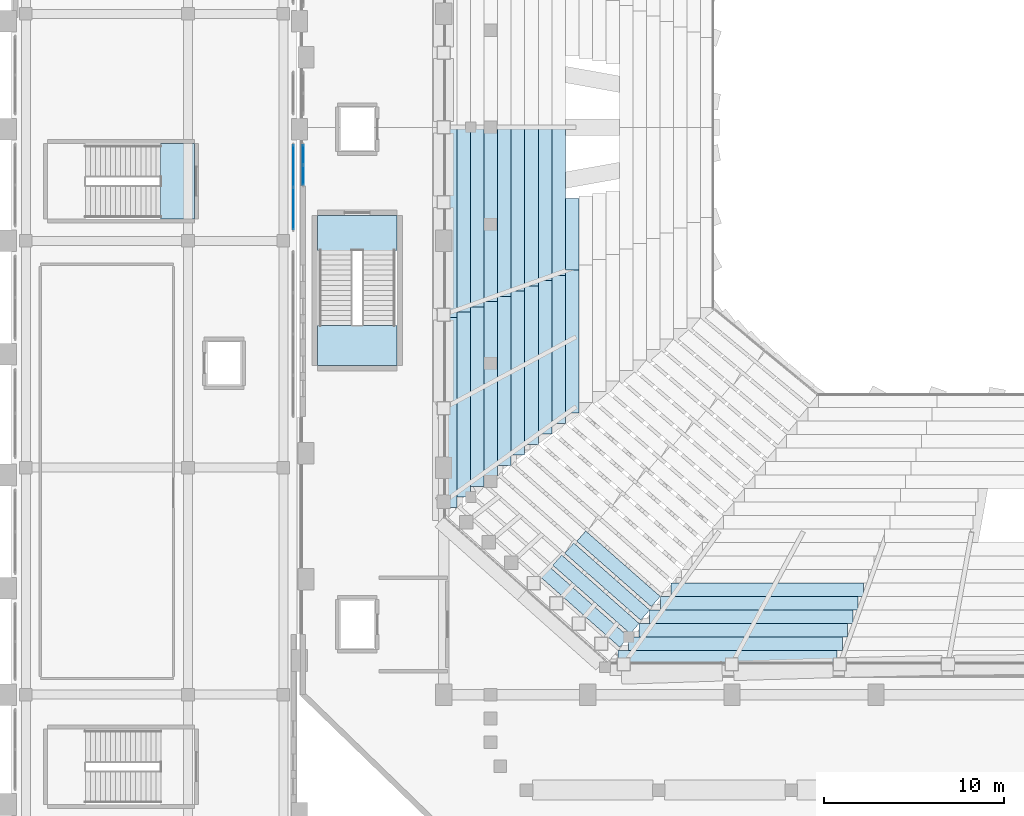
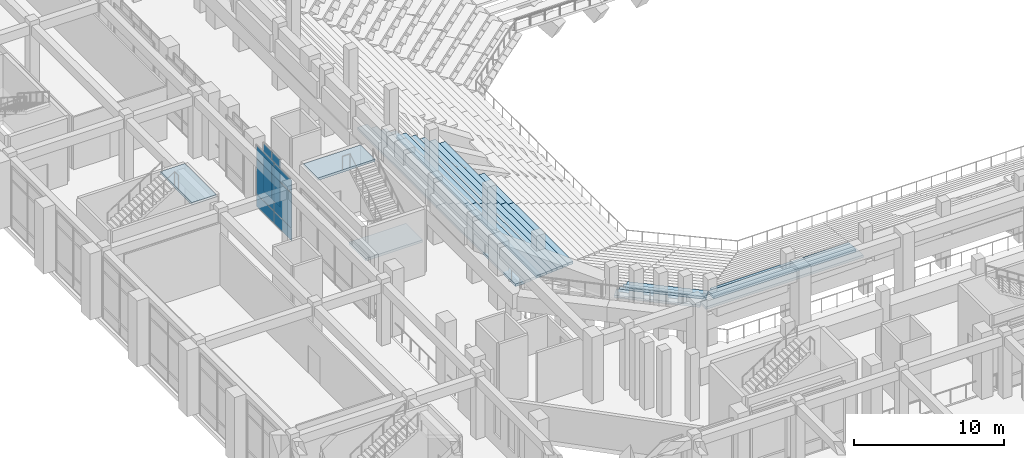
# One storey, part 88 of 159: 33 slabs, 12 plates, 4 elements without a shape of their own.
"""IFC4 building model written with IfcOpenShell, lengths in metres."""

from ifc_helpers import new_model, si_unit, derived_unit, direction, frame, origin, origin_2d, place, context, subcontext, project, spatial, polyline, rectangle, outline, extrude, material, layer, layer_set, type_object, element, aggregate, save


model = new_model("IFC4")

# Units and contexts
model_context = context("Model", 3, precision=1e-05, world=origin(), true_north=direction((0.0, 1.0)))
body_context = subcontext(model_context, "Body", "Model", "MODEL_VIEW")
ifc_project = project(units=[si_unit("LENGTHUNIT", "METRE"), si_unit("AREAUNIT", "SQUARE_METRE"), si_unit("VOLUMEUNIT", "CUBIC_METRE"), si_unit("PLANEANGLEUNIT", "RADIAN"), si_unit("MASSUNIT", "GRAM", prefix="KILO"), derived_unit("THERMALTRANSMITTANCEUNIT", [(si_unit("MASSUNIT", "GRAM", prefix="KILO"), 1), (si_unit("TIMEUNIT", "SECOND"), -3), (si_unit("THERMODYNAMICTEMPERATUREUNIT", "KELVIN"), -1)])], contexts=[model_context])

# Site, building, storey
site_placement = place(None, origin())
site = spatial("IfcSite", under=ifc_project, at=site_placement, CompositionType="ELEMENT")
building_placement = place(site_placement, origin())
building = spatial("IfcBuilding", under=site, at=building_placement, Name="Valcora Ridge Arena", CompositionType="ELEMENT")
storey_placement = place(building_placement, frame((0.0, 0.0, 6.0)))
storey = spatial("IfcBuildingStorey", under=building, at=storey_placement, Name="L01", CompositionType="ELEMENT", Elevation=6.0)

# Stair, slab
ifc_material_1 = material(Name="Concrete C40/50", Category="concrete")
stair_type_1 = type_object("IfcStairType", Name="TY-STAIR-ES08-54", PredefinedType="HALF_TURN_STAIR", material=ifc_material_1)
stair_1_placement = place(storey_placement, origin())
stair_1 = element("IfcStair", 1, at=stair_1_placement, inside=storey, type_object=stair_type_1, Name="ES08-54 STR-ES-0028", PredefinedType="HALF_TURN_STAIR")
ifc_layer_1 = layer(ifc_material_1, 0.199951171875, Name="Concrete C40/50")
ifc_layer_set_1 = layer_set([ifc_layer_1], Name="Concrete C40/50")
slab_type_1 = type_object("IfcSlabType", Name="TY-LAND-ES08-54", PredefinedType="LANDING", material=ifc_layer_set_1)
slab_1_placement = place(storey_placement, frame((0.0, 0.0, 5.199951171875)))
slab_1 = element("IfcSlab", 2, at=slab_1_placement, type_object=slab_type_1, Name="ES08-54 landing 2", PredefinedType="LANDING", context=body_context, shape_type="SweptSolid", body=[
    extrude(outline(polyline([(8.280029296875, 59.001953125), (10.157958984375, 59.001953125), (10.157958984375, 63.197998046875), (8.280029296875, 63.197998046875), (8.280029296875, 59.001953125)])), origin(), (0.0, 0.0, 1.0), 0.199951171875),
])
aggregate(stair_1, [slab_1])

# Stair, slabs
stair_type_2 = type_object("IfcStairType", Name="TY-STAIR-ST05-54", PredefinedType="HALF_TURN_STAIR", material=ifc_material_1)
stair_2_placement = place(storey_placement, origin())
stair_2 = element("IfcStair", 3, at=stair_2_placement, inside=storey, type_object=stair_type_2, Name="ST05-54 STR-CR-0025", PredefinedType="HALF_TURN_STAIR")
ifc_layer_2 = layer(ifc_material_1, 0.199951171875, Name="Concrete C40/50")
ifc_layer_set_2 = layer_set([ifc_layer_2], Name="Concrete C40/50")
slab_type_2 = type_object("IfcSlabType", Name="TY-LAND-ST05-54", PredefinedType="LANDING", material=ifc_layer_set_2)
slab_2_placement = place(storey_placement, frame((0.0, 0.0, 2.5)))
slab_2 = element("IfcSlab", 4, at=slab_2_placement, type_object=slab_type_2, Name="ST05-54 landing 1", PredefinedType="LANDING", context=body_context, shape_type="SweptSolid", body=[
    extrude(outline(polyline([(17.001953125, 50.882080078125), (21.39794921875, 50.882080078125), (21.39794921875, 53.110107421875), (17.001953125, 53.110107421875), (17.001953125, 50.882080078125)])), origin(), (0.0, 0.0, 1.0), 0.199951171875),
])
slab_3_placement = place(storey_placement, frame((0.0, 0.0, 5.199951171875)))
slab_3 = element("IfcSlab", 5, at=slab_3_placement, type_object=slab_type_2, Name="ST05-54 landing 2", PredefinedType="LANDING", context=body_context, shape_type="SweptSolid", body=[
    extrude(outline(polyline([(17.001953125, 57.27001953125), (21.39794921875, 57.27001953125), (21.39794921875, 59.197998046875), (17.001953125, 59.197998046875), (17.001953125, 57.27001953125)])), origin(), (0.0, 0.0, 1.0), 0.199951171875),
])
aggregate(stair_2, [slab_2, slab_3])

# Curtain wall, plates
ifc_material_2 = material(Name="Anodised dark bronze architectural aluminium 6063-T6", Category="aluminium")
ifc_layer_3 = layer(ifc_material_2, 0.179931640625, Name="Anodised dark bronze architectural aluminium 6063-T6")
ifc_layer_set_3 = layer_set([ifc_layer_3], Name="Anodised dark bronze architectural aluminium 6063-T6")
curtain_wall_type_1 = type_object("IfcCurtainWallType", Name="TY-CURTAINWALL-CW-V1-GOTH-023X50", PredefinedType="NOTDEFINED", material=ifc_layer_set_3)
curtain_wall_1_placement = place(storey_placement, origin())
curtain_wall_1 = element("IfcCurtainWall", 6, at=curtain_wall_1_placement, inside=storey, type_object=curtain_wall_type_1, Name="CW-V1-GOTH-023X50 CW-0092", PredefinedType="NOTDEFINED")
ifc_material_3 = material(Name="Low-iron solar-control double glazing SHGC 0.28", Category="glass")
ifc_layer_4 = layer(ifc_material_3, 0.031982421875, Name="Low-iron solar-control double glazing SHGC 0.28")
ifc_layer_set_4 = layer_set([ifc_layer_4], Name="Low-iron solar-control double glazing SHGC 0.28")
plate_type_1 = type_object("IfcPlateType", Name="TY-PLT-CWP-1065X0960", PredefinedType="CURTAIN_PANEL", material=ifc_layer_set_4)
plate_1_placement = place(storey_placement, frame((16.199951171875, 61.4423828125, 0.06005859375), z_axis=(0.0, 0.0, 1.0), x_axis=(0.0, 1.0, 0.0)))
plate_1 = element("IfcPlate", 7, at=plate_1_placement, type_object=plate_type_1, Name="CW-0092/P00-00", PredefinedType="CURTAIN_PANEL", context=body_context, shape_type="SweptSolid", body=[
    extrude(rectangle(XDim=1.06494140625, YDim=0.031982421875, at=origin_2d()), origin(), (0.0, 0.0, 1.0), 0.9599609375),
])
plate_2_placement = place(storey_placement, frame((16.199951171875, 62.5673828125, 0.06005859375), z_axis=(0.0, 0.0, 1.0), x_axis=(0.0, 1.0, 0.0)))
plate_2 = element("IfcPlate", 8, at=plate_2_placement, type_object=plate_type_1, Name="CW-0092/P01-00", PredefinedType="CURTAIN_PANEL", context=body_context, shape_type="SweptSolid", body=[
    extrude(rectangle(XDim=1.06494140625, YDim=0.031982421875, at=origin_2d()), origin(), (0.0, 0.0, 1.0), 0.9599609375),
])
ifc_layer_5 = layer(ifc_material_3, 0.031982421875, Name="Low-iron solar-control double glazing SHGC 0.28")
ifc_layer_set_5 = layer_set([ifc_layer_5], Name="Low-iron solar-control double glazing SHGC 0.28")
plate_type_2 = type_object("IfcPlateType", Name="TY-PLT-CWP-1065X1010", PredefinedType="CURTAIN_PANEL", material=ifc_layer_set_5)
plate_3_placement = place(storey_placement, frame((16.199951171875, 61.4423828125, 3.97021484375), z_axis=(0.0, 0.0, 1.0), x_axis=(0.0, 1.0, 0.0)))
plate_3 = element("IfcPlate", 9, at=plate_3_placement, type_object=plate_type_2, Name="CW-0092/P00-02", PredefinedType="CURTAIN_PANEL", context=body_context, shape_type="SweptSolid", body=[
    extrude(rectangle(XDim=1.06494140625, YDim=0.031982421875, at=origin_2d()), origin(), (0.0, 0.0, 1.0), 1.010009765625),
])
plate_4_placement = place(storey_placement, frame((16.199951171875, 62.5673828125, 3.97021484375), z_axis=(0.0, 0.0, 1.0), x_axis=(0.0, 1.0, 0.0)))
plate_4 = element("IfcPlate", 10, at=plate_4_placement, type_object=plate_type_2, Name="CW-0092/P01-02", PredefinedType="CURTAIN_PANEL", context=body_context, shape_type="SweptSolid", body=[
    extrude(rectangle(XDim=1.06494140625, YDim=0.031982421875, at=origin_2d()), origin(), (0.0, 0.0, 1.0), 1.010009765625),
])
ifc_layer_6 = layer(ifc_material_3, 0.031982421875, Name="Low-iron solar-control double glazing SHGC 0.28")
ifc_layer_set_6 = layer_set([ifc_layer_6], Name="Low-iron solar-control double glazing SHGC 0.28")
plate_type_3 = type_object("IfcPlateType", Name="TY-PLT-CWP-1065X2830", PredefinedType="CURTAIN_PANEL", material=ifc_layer_set_6)
plate_5_placement = place(storey_placement, frame((16.199951171875, 61.4423828125, 1.080078125), z_axis=(0.0, 0.0, 1.0), x_axis=(0.0, 1.0, 0.0)))
plate_5 = element("IfcPlate", 11, at=plate_5_placement, type_object=plate_type_3, Name="CW-0092/P00-01", PredefinedType="CURTAIN_PANEL", context=body_context, shape_type="SweptSolid", body=[
    extrude(rectangle(XDim=1.06494140625, YDim=0.031982421875, at=origin_2d()), origin(), (0.0, 0.0, 1.0), 2.830078125),
])
plate_6_placement = place(storey_placement, frame((16.199951171875, 62.5673828125, 1.080078125), z_axis=(0.0, 0.0, 1.0), x_axis=(0.0, 1.0, 0.0)))
plate_6 = element("IfcPlate", 12, at=plate_6_placement, type_object=plate_type_3, Name="CW-0092/P01-01", PredefinedType="CURTAIN_PANEL", context=body_context, shape_type="SweptSolid", body=[
    extrude(rectangle(XDim=1.06494140625, YDim=0.031982421875, at=origin_2d()), origin(), (0.0, 0.0, 1.0), 2.830078125),
])
aggregate(curtain_wall_1, [plate_1, plate_5, plate_3, plate_2, plate_6, plate_4])

ifc_layer_7 = layer(ifc_material_2, 0.14990234375, Name="Anodised dark bronze architectural aluminium 6063-T6")
ifc_layer_set_7 = layer_set([ifc_layer_7], Name="Anodised dark bronze architectural aluminium 6063-T6")
curtain_wall_type_2 = type_object("IfcCurtainWallType", Name="TY-CURTAINWALL-CW-V4-CLUB-048X50", PredefinedType="NOTDEFINED", material=ifc_layer_set_7)
curtain_wall_2_placement = place(storey_placement, origin())
curtain_wall_2 = element("IfcCurtainWall", 13, at=curtain_wall_2_placement, inside=storey, type_object=curtain_wall_type_2, Name="CW-V4-CLUB-048X50 CW-0231", PredefinedType="NOTDEFINED")
ifc_layer_8 = layer(ifc_material_3, 0.028076171875, Name="Low-iron solar-control double glazing SHGC 0.28")
ifc_layer_set_8 = layer_set([ifc_layer_8], Name="Low-iron solar-control double glazing SHGC 0.28")
plate_type_4 = type_object("IfcPlateType", Name="TY-PLT-CWP-2310X0975", PredefinedType="CURTAIN_PANEL", material=ifc_layer_set_8)
plate_7_placement = place(storey_placement, frame((15.64990234375, 59.594970703125, 0.050048828125), z_axis=(0.0, 0.0, 1.0), x_axis=(0.0, 1.0, 0.0)))
plate_7 = element("IfcPlate", 14, at=plate_7_placement, type_object=plate_type_4, Name="CW-0231/P00-00", PredefinedType="CURTAIN_PANEL", context=body_context, shape_type="SweptSolid", body=[
    extrude(rectangle(XDim=2.31005859375, YDim=0.028076171875, at=origin_2d()), origin(), (0.0, 0.0, 1.0), 0.97509765625),
])
plate_8_placement = place(storey_placement, frame((15.64990234375, 61.955078125, 0.050048828125), z_axis=(0.0, 0.0, 1.0), x_axis=(0.0, 1.0, 0.0)))
plate_8 = element("IfcPlate", 15, at=plate_8_placement, type_object=plate_type_4, Name="CW-0231/P01-00", PredefinedType="CURTAIN_PANEL", context=body_context, shape_type="SweptSolid", body=[
    extrude(rectangle(XDim=2.31005859375, YDim=0.028076171875, at=origin_2d()), origin(), (0.0, 0.0, 1.0), 0.97509765625),
])
ifc_layer_9 = layer(ifc_material_3, 0.028076171875, Name="Low-iron solar-control double glazing SHGC 0.28")
ifc_layer_set_9 = layer_set([ifc_layer_9], Name="Low-iron solar-control double glazing SHGC 0.28")
plate_type_5 = type_object("IfcPlateType", Name="TY-PLT-CWP-2310X1025", PredefinedType="CURTAIN_PANEL", material=ifc_layer_set_9)
plate_9_placement = place(storey_placement, frame((15.64990234375, 59.594970703125, 3.965087890625), z_axis=(0.0, 0.0, 1.0), x_axis=(0.0, 1.0, 0.0)))
plate_9 = element("IfcPlate", 16, at=plate_9_placement, type_object=plate_type_5, Name="CW-0231/P00-02", PredefinedType="CURTAIN_PANEL", context=body_context, shape_type="SweptSolid", body=[
    extrude(rectangle(XDim=2.31005859375, YDim=0.028076171875, at=origin_2d()), origin(), (0.0, 0.0, 1.0), 1.02490234375),
])
plate_10_placement = place(storey_placement, frame((15.64990234375, 61.955078125, 3.965087890625), z_axis=(0.0, 0.0, 1.0), x_axis=(0.0, 1.0, 0.0)))
plate_10 = element("IfcPlate", 17, at=plate_10_placement, type_object=plate_type_5, Name="CW-0231/P01-02", PredefinedType="CURTAIN_PANEL", context=body_context, shape_type="SweptSolid", body=[
    extrude(rectangle(XDim=2.31005859375, YDim=0.028076171875, at=origin_2d()), origin(), (0.0, 0.0, 1.0), 1.02490234375),
])
ifc_layer_10 = layer(ifc_material_3, 0.028076171875, Name="Low-iron solar-control double glazing SHGC 0.28")
ifc_layer_set_10 = layer_set([ifc_layer_10], Name="Low-iron solar-control double glazing SHGC 0.28")
plate_type_6 = type_object("IfcPlateType", Name="TY-PLT-CWP-2310X2840", PredefinedType="CURTAIN_PANEL", material=ifc_layer_set_10)
plate_11_placement = place(storey_placement, frame((15.64990234375, 59.594970703125, 1.0751953125), z_axis=(0.0, 0.0, 1.0), x_axis=(0.0, 1.0, 0.0)))
plate_11 = element("IfcPlate", 18, at=plate_11_placement, type_object=plate_type_6, Name="CW-0231/P00-01", PredefinedType="CURTAIN_PANEL", context=body_context, shape_type="SweptSolid", body=[
    extrude(rectangle(XDim=2.31005859375, YDim=0.028076171875, at=origin_2d()), origin(), (0.0, 0.0, 1.0), 2.840087890625),
])
plate_12_placement = place(storey_placement, frame((15.64990234375, 61.955078125, 1.0751953125), z_axis=(0.0, 0.0, 1.0), x_axis=(0.0, 1.0, 0.0)))
plate_12 = element("IfcPlate", 19, at=plate_12_placement, type_object=plate_type_6, Name="CW-0231/P01-01", PredefinedType="CURTAIN_PANEL", context=body_context, shape_type="SweptSolid", body=[
    extrude(rectangle(XDim=2.31005859375, YDim=0.028076171875, at=origin_2d()), origin(), (0.0, 0.0, 1.0), 2.840087890625),
])
aggregate(curtain_wall_2, [plate_7, plate_11, plate_9, plate_8, plate_12, plate_10])

# Slabs
ifc_material_4 = material(Name="Precast concrete C45/55", Category="concrete")
ifc_layer_11 = layer(ifc_material_4, 0.199951171875, Name="Precast concrete C45/55")
ifc_layer_set_11 = layer_set([ifc_layer_11], Name="Precast concrete C45/55")
slab_type_3 = type_object("IfcSlabType", Name="TY-SLAB-ST-LOW-L040", PredefinedType="USERDEFINED", material=ifc_layer_set_11)
slab_4_placement = place(storey_placement, frame((0.0, 0.0, -1.199951171875)))
element("IfcSlab", 20, at=slab_4_placement, inside=storey, type_object=slab_type_3, Name="ST-LOW-L040 SLB-TR-0261", ObjectType="SEATING TIER", PredefinedType="USERDEFINED", context=body_context, shape_type="SweptSolid", body=[
    extrude(outline(polyline([(31.5, 60.137451171875), (31.5, 56.175048828125), (30.75, 56.175048828125), (30.75, 60.137451171875), (31.5, 60.137451171875)])), origin(), (0.0, 0.0, 1.0), 0.199951171875),
])
ifc_layer_12 = layer(ifc_material_4, 0.199951171875, Name="Precast concrete C45/55")
ifc_layer_set_12 = layer_set([ifc_layer_12], Name="Precast concrete C45/55")
slab_type_4 = type_object("IfcSlabType", Name="TY-SLAB-ST-LOW-L055", PredefinedType="USERDEFINED", material=ifc_layer_set_12)
slab_5_placement = place(storey_placement, frame((0.0, 0.0, 1.0)))
element("IfcSlab", 21, at=slab_5_placement, inside=storey, type_object=slab_type_4, Name="ST-LOW-L055 SLB-TR-0384", ObjectType="SEATING TIER", PredefinedType="USERDEFINED", context=body_context, shape_type="SweptSolid", body=[
    extrude(outline(polyline([(31.887451171875, 41.6875), (36.02490234375, 38.050048828125), (35.52978515625, 37.48681640625), (31.392333984375, 41.124267578125), (31.887451171875, 41.6875)])), origin(), (0.0, 0.0, 1.0), 0.199951171875),
])
ifc_layer_13 = layer(ifc_material_4, 0.199951171875, Name="Precast concrete C45/55")
ifc_layer_set_13 = layer_set([ifc_layer_13], Name="Precast concrete C45/55")
slab_type_5 = type_object("IfcSlabType", Name="TY-SLAB-ST-LOW-L056", PredefinedType="USERDEFINED", material=ifc_layer_set_13)
slab_6_placement = place(storey_placement, frame((0.0, 0.0, 1.43994140625)))
element("IfcSlab", 22, at=slab_6_placement, inside=storey, type_object=slab_type_5, Name="ST-LOW-L056 SLB-TR-0408", ObjectType="SEATING TIER", PredefinedType="USERDEFINED", context=body_context, shape_type="SweptSolid", body=[
    extrude(outline(polyline([(31.219970703125, 41.02001953125), (35.43994140625, 37.300048828125), (34.944091796875, 36.7373046875), (30.72412109375, 40.45751953125), (31.219970703125, 41.02001953125)])), origin(), (0.0, 0.0, 1.0), 0.199951171875),
])
ifc_layer_14 = layer(ifc_material_4, 0.199951171875, Name="Precast concrete C45/55")
ifc_layer_set_14 = layer_set([ifc_layer_14], Name="Precast concrete C45/55")
slab_type_6 = type_object("IfcSlabType", Name="TY-SLAB-ST-LOW-L057", PredefinedType="USERDEFINED", material=ifc_layer_set_14)
slab_7_placement = place(storey_placement, frame((0.0, 0.0, 1.8798828125)))
element("IfcSlab", 23, at=slab_7_placement, inside=storey, type_object=slab_type_6, Name="ST-LOW-L057 SLB-TR-0432", ObjectType="SEATING TIER", PredefinedType="USERDEFINED", context=body_context, shape_type="SweptSolid", body=[
    extrude(outline(polyline([(30.552490234375, 40.3525390625), (34.85498046875, 36.550048828125), (34.3583984375, 35.988037109375), (30.055908203125, 39.79052734375), (30.552490234375, 40.3525390625)])), origin(), (0.0, 0.0, 1.0), 0.2001953125),
])
ifc_layer_15 = layer(ifc_material_4, 0.199951171875, Name="Precast concrete C45/55")
ifc_layer_set_15 = layer_set([ifc_layer_15], Name="Precast concrete C45/55")
slab_type_7 = type_object("IfcSlabType", Name="TY-SLAB-ST-LOW-L059", PredefinedType="USERDEFINED", material=ifc_layer_set_15)
slab_8_placement = place(storey_placement, frame((0.0, 0.0, 2.320068359375)))
element("IfcSlab", 24, at=slab_8_placement, inside=storey, type_object=slab_type_7, Name="ST-LOW-L059 SLB-TR-0456", ObjectType="SEATING TIER", PredefinedType="USERDEFINED", context=body_context, shape_type="SweptSolid", body=[
    extrude(outline(polyline([(29.885009765625, 39.68505859375), (34.27001953125, 35.800048828125), (33.772705078125, 35.238525390625), (29.3876953125, 39.12353515625), (29.885009765625, 39.68505859375)])), origin(), (0.0, 0.0, 1.0), 0.199951171875),
])
ifc_layer_16 = layer(ifc_material_4, 0.199951171875, Name="Precast concrete C45/55")
ifc_layer_set_16 = layer_set([ifc_layer_16], Name="Precast concrete C45/55")
slab_type_8 = type_object("IfcSlabType", Name="TY-SLAB-ST-LOW-L079", PredefinedType="USERDEFINED", material=ifc_layer_set_16)
slab_9_placement = place(storey_placement, frame((0.0, 0.0, -1.199951171875)))
element("IfcSlab", 25, at=slab_9_placement, inside=storey, type_object=slab_type_8, Name="ST-LOW-L079 SLB-TR-0262", ObjectType="SEATING TIER", PredefinedType="USERDEFINED", context=body_context, shape_type="SweptSolid", body=[
    extrude(outline(polyline([(31.5, 56.175048828125), (31.5, 48.25), (30.75, 48.25), (30.75, 56.175048828125), (31.5, 56.175048828125)])), origin(), (0.0, 0.0, 1.0), 0.199951171875),
])
ifc_layer_17 = layer(ifc_material_4, 0.199951171875, Name="Precast concrete C45/55")
ifc_layer_set_17 = layer_set([ifc_layer_17], Name="Precast concrete C45/55")
slab_type_9 = type_object("IfcSlabType", Name="TY-SLAB-ST-LOW-L082", PredefinedType="USERDEFINED", material=ifc_layer_set_17)
slab_10_placement = place(storey_placement, frame((0.0, 0.0, -0.760009765625)))
element("IfcSlab", 26, at=slab_10_placement, inside=storey, type_object=slab_type_9, Name="ST-LOW-L082 SLB-TR-0285", ObjectType="SEATING TIER", PredefinedType="USERDEFINED", context=body_context, shape_type="SweptSolid", body=[
    extrude(outline(polyline([(30.75, 64.10009765625), (30.75, 55.882568359375), (30.0, 55.882568359375), (30.0, 64.10009765625), (30.75, 64.10009765625)])), origin(), (0.0, 0.0, 1.0), 0.199951171875),
])
slab_11_placement = place(storey_placement, frame((0.0, 0.0, -0.760009765625)))
element("IfcSlab", 27, at=slab_11_placement, inside=storey, type_object=slab_type_9, Name="ST-LOW-L082 SLB-TR-0286", ObjectType="SEATING TIER", PredefinedType="USERDEFINED", context=body_context, shape_type="SweptSolid", body=[
    extrude(outline(polyline([(30.75, 55.882568359375), (30.75, 47.6650390625), (30.0, 47.6650390625), (30.0, 55.882568359375), (30.75, 55.882568359375)])), origin(), (0.0, 0.0, 1.0), 0.199951171875),
])
ifc_layer_18 = layer(ifc_material_4, 0.199951171875, Name="Precast concrete C45/55")
ifc_layer_set_18 = layer_set([ifc_layer_18], Name="Precast concrete C45/55")
slab_type_10 = type_object("IfcSlabType", Name="TY-SLAB-ST-LOW-L085", PredefinedType="USERDEFINED", material=ifc_layer_set_18)
slab_12_placement = place(storey_placement, frame((0.0, 0.0, -0.320068359375)))
element("IfcSlab", 28, at=slab_12_placement, inside=storey, type_object=slab_type_10, Name="ST-LOW-L085 SLB-TR-0309", ObjectType="SEATING TIER", PredefinedType="USERDEFINED", context=body_context, shape_type="SweptSolid", body=[
    extrude(outline(polyline([(30.0, 64.10009765625), (30.0, 55.590087890625), (29.25, 55.590087890625), (29.25, 64.10009765625), (30.0, 64.10009765625)])), origin(), (0.0, 0.0, 1.0), 0.199951171875),
])
slab_13_placement = place(storey_placement, frame((0.0, 0.0, -0.320068359375)))
element("IfcSlab", 29, at=slab_13_placement, inside=storey, type_object=slab_type_10, Name="ST-LOW-L085 SLB-TR-0310", ObjectType="SEATING TIER", PredefinedType="USERDEFINED", context=body_context, shape_type="SweptSolid", body=[
    extrude(outline(polyline([(30.0, 55.590087890625), (30.0, 47.080078125), (29.25, 47.080078125), (29.25, 55.590087890625), (30.0, 55.590087890625)])), origin(), (0.0, 0.0, 1.0), 0.199951171875),
])
ifc_layer_19 = layer(ifc_material_4, 0.199951171875, Name="Precast concrete C45/55")
ifc_layer_set_19 = layer_set([ifc_layer_19], Name="Precast concrete C45/55")
slab_type_11 = type_object("IfcSlabType", Name="TY-SLAB-ST-LOW-L088", PredefinedType="USERDEFINED", material=ifc_layer_set_19)
slab_14_placement = place(storey_placement, frame((0.0, 0.0, 0.1201171875)))
element("IfcSlab", 30, at=slab_14_placement, inside=storey, type_object=slab_type_11, Name="ST-LOW-L088 SLB-TR-0333", ObjectType="SEATING TIER", PredefinedType="USERDEFINED", context=body_context, shape_type="SweptSolid", body=[
    extrude(outline(polyline([(29.25, 64.10009765625), (29.25, 55.297607421875), (28.5, 55.297607421875), (28.5, 64.10009765625), (29.25, 64.10009765625)])), origin(), (0.0, 0.0, 1.0), 0.199951171875),
])
slab_15_placement = place(storey_placement, frame((0.0, 0.0, 0.1201171875)))
element("IfcSlab", 31, at=slab_15_placement, inside=storey, type_object=slab_type_11, Name="ST-LOW-L088 SLB-TR-0334", ObjectType="SEATING TIER", PredefinedType="USERDEFINED", context=body_context, shape_type="SweptSolid", body=[
    extrude(outline(polyline([(29.25, 55.297607421875), (29.25, 46.4951171875), (28.5, 46.4951171875), (28.5, 55.297607421875), (29.25, 55.297607421875)])), origin(), (0.0, 0.0, 1.0), 0.199951171875),
])
ifc_layer_20 = layer(ifc_material_4, 0.199951171875, Name="Precast concrete C45/55")
ifc_layer_set_20 = layer_set([ifc_layer_20], Name="Precast concrete C45/55")
slab_type_12 = type_object("IfcSlabType", Name="TY-SLAB-ST-LOW-L091", PredefinedType="USERDEFINED", material=ifc_layer_set_20)
slab_16_placement = place(storey_placement, frame((0.0, 0.0, 0.56005859375)))
element("IfcSlab", 32, at=slab_16_placement, inside=storey, type_object=slab_type_12, Name="ST-LOW-L091 SLB-TR-0357", ObjectType="SEATING TIER", PredefinedType="USERDEFINED", context=body_context, shape_type="SweptSolid", body=[
    extrude(outline(polyline([(28.5, 64.10009765625), (28.5, 55.0048828125), (27.75, 55.0048828125), (27.75, 64.10009765625), (28.5, 64.10009765625)])), origin(), (0.0, 0.0, 1.0), 0.199951171875),
])
slab_17_placement = place(storey_placement, frame((0.0, 0.0, 0.56005859375)))
element("IfcSlab", 33, at=slab_17_placement, inside=storey, type_object=slab_type_12, Name="ST-LOW-L091 SLB-TR-0358", ObjectType="SEATING TIER", PredefinedType="USERDEFINED", context=body_context, shape_type="SweptSolid", body=[
    extrude(outline(polyline([(28.5, 55.0048828125), (28.5, 45.909912109375), (27.75, 45.909912109375), (27.75, 55.0048828125), (28.5, 55.0048828125)])), origin(), (0.0, 0.0, 1.0), 0.199951171875),
])
ifc_layer_21 = layer(ifc_material_4, 0.199951171875, Name="Precast concrete C45/55")
ifc_layer_set_21 = layer_set([ifc_layer_21], Name="Precast concrete C45/55")
slab_type_13 = type_object("IfcSlabType", Name="TY-SLAB-ST-LOW-L094", PredefinedType="USERDEFINED", material=ifc_layer_set_21)
slab_18_placement = place(storey_placement, frame((0.0, 0.0, 1.0)))
element("IfcSlab", 34, at=slab_18_placement, inside=storey, type_object=slab_type_13, Name="ST-LOW-L094 SLB-TR-0381", ObjectType="SEATING TIER", PredefinedType="USERDEFINED", context=body_context, shape_type="SweptSolid", body=[
    extrude(outline(polyline([(27.75, 64.10009765625), (27.75, 54.71240234375), (27.0, 54.71240234375), (27.0, 64.10009765625), (27.75, 64.10009765625)])), origin(), (0.0, 0.0, 1.0), 0.199951171875),
])
slab_19_placement = place(storey_placement, frame((0.0, 0.0, 1.0)))
element("IfcSlab", 35, at=slab_19_placement, inside=storey, type_object=slab_type_13, Name="ST-LOW-L094 SLB-TR-0382", ObjectType="SEATING TIER", PredefinedType="USERDEFINED", context=body_context, shape_type="SweptSolid", body=[
    extrude(outline(polyline([(27.75, 54.71240234375), (27.75, 45.324951171875), (27.0, 45.324951171875), (27.0, 54.71240234375), (27.75, 54.71240234375)])), origin(), (0.0, 0.0, 1.0), 0.199951171875),
])
ifc_layer_22 = layer(ifc_material_4, 0.199951171875, Name="Precast concrete C45/55")
ifc_layer_set_22 = layer_set([ifc_layer_22], Name="Precast concrete C45/55")
slab_type_14 = type_object("IfcSlabType", Name="TY-SLAB-ST-LOW-L097", PredefinedType="USERDEFINED", material=ifc_layer_set_22)
slab_20_placement = place(storey_placement, frame((0.0, 0.0, 1.43994140625)))
element("IfcSlab", 36, at=slab_20_placement, inside=storey, type_object=slab_type_14, Name="ST-LOW-L097 SLB-TR-0405", ObjectType="SEATING TIER", PredefinedType="USERDEFINED", context=body_context, shape_type="SweptSolid", body=[
    extrude(outline(polyline([(27.0, 64.10009765625), (27.0, 54.419921875), (26.25, 54.419921875), (26.25, 64.10009765625), (27.0, 64.10009765625)])), origin(), (0.0, 0.0, 1.0), 0.199951171875),
])
slab_21_placement = place(storey_placement, frame((0.0, 0.0, 1.43994140625)))
element("IfcSlab", 37, at=slab_21_placement, inside=storey, type_object=slab_type_14, Name="ST-LOW-L097 SLB-TR-0406", ObjectType="SEATING TIER", PredefinedType="USERDEFINED", context=body_context, shape_type="SweptSolid", body=[
    extrude(outline(polyline([(27.0, 54.419921875), (27.0, 44.739990234375), (26.25, 44.739990234375), (26.25, 54.419921875), (27.0, 54.419921875)])), origin(), (0.0, 0.0, 1.0), 0.199951171875),
])
ifc_layer_23 = layer(ifc_material_4, 0.199951171875, Name="Precast concrete C45/55")
ifc_layer_set_23 = layer_set([ifc_layer_23], Name="Precast concrete C45/55")
slab_type_15 = type_object("IfcSlabType", Name="TY-SLAB-ST-LOW-L100", PredefinedType="USERDEFINED", material=ifc_layer_set_23)
slab_22_placement = place(storey_placement, frame((0.0, 0.0, 1.8798828125)))
element("IfcSlab", 38, at=slab_22_placement, inside=storey, type_object=slab_type_15, Name="ST-LOW-L100 SLB-TR-0429", ObjectType="SEATING TIER", PredefinedType="USERDEFINED", context=body_context, shape_type="SweptSolid", body=[
    extrude(outline(polyline([(26.25, 64.10009765625), (26.25, 54.12744140625), (25.5, 54.12744140625), (25.5, 64.10009765625), (26.25, 64.10009765625)])), origin(), (0.0, 0.0, 1.0), 0.2001953125),
])
slab_23_placement = place(storey_placement, frame((0.0, 0.0, 1.8798828125)))
element("IfcSlab", 39, at=slab_23_placement, inside=storey, type_object=slab_type_15, Name="ST-LOW-L100 SLB-TR-0430", ObjectType="SEATING TIER", PredefinedType="USERDEFINED", context=body_context, shape_type="SweptSolid", body=[
    extrude(outline(polyline([(26.25, 54.12744140625), (26.25, 44.155029296875), (25.5, 44.155029296875), (25.5, 54.12744140625), (26.25, 54.12744140625)])), origin(), (0.0, 0.0, 1.0), 0.2001953125),
])
ifc_layer_24 = layer(ifc_material_4, 0.199951171875, Name="Precast concrete C45/55")
ifc_layer_set_24 = layer_set([ifc_layer_24], Name="Precast concrete C45/55")
slab_type_16 = type_object("IfcSlabType", Name="TY-SLAB-ST-LOW-L103", PredefinedType="USERDEFINED", material=ifc_layer_set_24)
slab_24_placement = place(storey_placement, frame((0.0, 0.0, 2.320068359375)))
element("IfcSlab", 40, at=slab_24_placement, inside=storey, type_object=slab_type_16, Name="ST-LOW-L103 SLB-TR-0453", ObjectType="SEATING TIER", PredefinedType="USERDEFINED", context=body_context, shape_type="SweptSolid", body=[
    extrude(outline(polyline([(25.5, 64.10009765625), (25.5, 53.8349609375), (24.75, 53.8349609375), (24.75, 64.10009765625), (25.5, 64.10009765625)])), origin(), (0.0, 0.0, 1.0), 0.199951171875),
])
slab_25_placement = place(storey_placement, frame((0.0, 0.0, 2.320068359375)))
element("IfcSlab", 41, at=slab_25_placement, inside=storey, type_object=slab_type_16, Name="ST-LOW-L103 SLB-TR-0454", ObjectType="SEATING TIER", PredefinedType="USERDEFINED", context=body_context, shape_type="SweptSolid", body=[
    extrude(outline(polyline([(25.5, 53.8349609375), (25.5, 43.570068359375), (24.75, 43.570068359375), (24.75, 53.8349609375), (25.5, 53.8349609375)])), origin(), (0.0, 0.0, 1.0), 0.199951171875),
])
ifc_layer_25 = layer(ifc_material_4, 0.199951171875, Name="Precast concrete C45/55")
ifc_layer_set_25 = layer_set([ifc_layer_25], Name="Precast concrete C45/55")
slab_type_17 = type_object("IfcSlabType", Name="TY-SLAB-ST-LOW-L106", PredefinedType="USERDEFINED", material=ifc_layer_set_25)
slab_26_placement = place(storey_placement, frame((0.0, 0.0, 2.760009765625)))
element("IfcSlab", 42, at=slab_26_placement, inside=storey, type_object=slab_type_17, Name="ST-LOW-L106 SLB-TR-0477", ObjectType="SEATING TIER", PredefinedType="USERDEFINED", context=body_context, shape_type="SweptSolid", body=[
    extrude(outline(polyline([(24.75, 64.10009765625), (24.75, 53.54248046875), (24.0, 53.54248046875), (24.0, 64.10009765625), (24.75, 64.10009765625)])), origin(), (0.0, 0.0, 1.0), 0.199951171875),
])
slab_27_placement = place(storey_placement, frame((0.0, 0.0, 2.760009765625)))
element("IfcSlab", 43, at=slab_27_placement, inside=storey, type_object=slab_type_17, Name="ST-LOW-L106 SLB-TR-0478", ObjectType="SEATING TIER", PredefinedType="USERDEFINED", context=body_context, shape_type="SweptSolid", body=[
    extrude(outline(polyline([(24.75, 53.54248046875), (24.75, 42.985107421875), (24.0, 42.985107421875), (24.0, 53.54248046875), (24.75, 53.54248046875)])), origin(), (0.0, 0.0, 1.0), 0.199951171875),
])
ifc_layer_26 = layer(ifc_material_4, 0.199951171875, Name="Precast concrete C45/55")
ifc_layer_set_26 = layer_set([ifc_layer_26], Name="Precast concrete C45/55")
slab_type_18 = type_object("IfcSlabType", Name="TY-SLAB-ST-LOW-L107", PredefinedType="USERDEFINED", material=ifc_layer_set_26)
slab_28_placement = place(storey_placement, frame((0.0, 0.0, 0.56005859375)))
element("IfcSlab", 44, at=slab_28_placement, inside=storey, type_object=slab_type_18, Name="ST-LOW-L107 SLB-TR-0337", ObjectType="SEATING TIER", PredefinedType="USERDEFINED", context=body_context, shape_type="SweptSolid", body=[
    extrude(outline(polyline([(36.610107421875, 38.800048828125), (47.304931640625, 38.800048828125), (47.304931640625, 38.050048828125), (36.610107421875, 38.050048828125), (36.610107421875, 38.800048828125)])), origin(), (0.0, 0.0, 1.0), 0.199951171875),
])
ifc_layer_27 = layer(ifc_material_4, 0.199951171875, Name="Precast concrete C45/55")
ifc_layer_set_27 = layer_set([ifc_layer_27], Name="Precast concrete C45/55")
slab_type_19 = type_object("IfcSlabType", Name="TY-SLAB-ST-LOW-L110", PredefinedType="USERDEFINED", material=ifc_layer_set_27)
slab_29_placement = place(storey_placement, frame((0.0, 0.0, 1.0)))
element("IfcSlab", 45, at=slab_29_placement, inside=storey, type_object=slab_type_19, Name="ST-LOW-L110 SLB-TR-0361", ObjectType="SEATING TIER", PredefinedType="USERDEFINED", context=body_context, shape_type="SweptSolid", body=[
    extrude(outline(polyline([(36.02490234375, 38.050048828125), (47.012451171875, 38.050048828125), (47.012451171875, 37.300048828125), (36.02490234375, 37.300048828125), (36.02490234375, 38.050048828125)])), origin(), (0.0, 0.0, 1.0), 0.199951171875),
])
ifc_layer_28 = layer(ifc_material_4, 0.199951171875, Name="Precast concrete C45/55")
ifc_layer_set_28 = layer_set([ifc_layer_28], Name="Precast concrete C45/55")
slab_type_20 = type_object("IfcSlabType", Name="TY-SLAB-ST-LOW-L113", PredefinedType="USERDEFINED", material=ifc_layer_set_28)
slab_30_placement = place(storey_placement, frame((0.0, 0.0, 1.43994140625)))
element("IfcSlab", 46, at=slab_30_placement, inside=storey, type_object=slab_type_20, Name="ST-LOW-L113 SLB-TR-0385", ObjectType="SEATING TIER", PredefinedType="USERDEFINED", context=body_context, shape_type="SweptSolid", body=[
    extrude(outline(polyline([(35.43994140625, 37.300048828125), (46.719970703125, 37.300048828125), (46.719970703125, 36.550048828125), (35.43994140625, 36.550048828125), (35.43994140625, 37.300048828125)])), origin(), (0.0, 0.0, 1.0), 0.199951171875),
])
ifc_layer_29 = layer(ifc_material_4, 0.199951171875, Name="Precast concrete C45/55")
ifc_layer_set_29 = layer_set([ifc_layer_29], Name="Precast concrete C45/55")
slab_type_21 = type_object("IfcSlabType", Name="TY-SLAB-ST-LOW-L116", PredefinedType="USERDEFINED", material=ifc_layer_set_29)
slab_31_placement = place(storey_placement, frame((0.0, 0.0, 1.8798828125)))
element("IfcSlab", 47, at=slab_31_placement, inside=storey, type_object=slab_type_21, Name="ST-LOW-L116 SLB-TR-0409", ObjectType="SEATING TIER", PredefinedType="USERDEFINED", context=body_context, shape_type="SweptSolid", body=[
    extrude(outline(polyline([(34.85498046875, 36.550048828125), (46.427490234375, 36.550048828125), (46.427490234375, 35.800048828125), (34.85498046875, 35.800048828125), (34.85498046875, 36.550048828125)])), origin(), (0.0, 0.0, 1.0), 0.2001953125),
])
ifc_layer_30 = layer(ifc_material_4, 0.199951171875, Name="Precast concrete C45/55")
ifc_layer_set_30 = layer_set([ifc_layer_30], Name="Precast concrete C45/55")
slab_type_22 = type_object("IfcSlabType", Name="TY-SLAB-ST-LOW-L119", PredefinedType="USERDEFINED", material=ifc_layer_set_30)
slab_32_placement = place(storey_placement, frame((0.0, 0.0, 2.320068359375)))
element("IfcSlab", 48, at=slab_32_placement, inside=storey, type_object=slab_type_22, Name="ST-LOW-L119 SLB-TR-0433", ObjectType="SEATING TIER", PredefinedType="USERDEFINED", context=body_context, shape_type="SweptSolid", body=[
    extrude(outline(polyline([(34.27001953125, 35.800048828125), (46.135009765625, 35.800048828125), (46.135009765625, 35.050048828125), (34.27001953125, 35.050048828125), (34.27001953125, 35.800048828125)])), origin(), (0.0, 0.0, 1.0), 0.199951171875),
])
ifc_layer_31 = layer(ifc_material_4, 0.199951171875, Name="Precast concrete C45/55")
ifc_layer_set_31 = layer_set([ifc_layer_31], Name="Precast concrete C45/55")
slab_type_23 = type_object("IfcSlabType", Name="TY-SLAB-ST-LOW-L122", PredefinedType="USERDEFINED", material=ifc_layer_set_31)
slab_33_placement = place(storey_placement, frame((0.0, 0.0, 2.760009765625)))
element("IfcSlab", 49, at=slab_33_placement, inside=storey, type_object=slab_type_23, Name="ST-LOW-L122 SLB-TR-0457", ObjectType="SEATING TIER", PredefinedType="USERDEFINED", context=body_context, shape_type="SweptSolid", body=[
    extrude(outline(polyline([(33.68505859375, 35.050048828125), (45.842529296875, 35.050048828125), (45.842529296875, 34.300048828125), (33.68505859375, 34.300048828125), (33.68505859375, 35.050048828125)])), origin(), (0.0, 0.0, 1.0), 0.199951171875),
])

save(model, "model.ifc")
